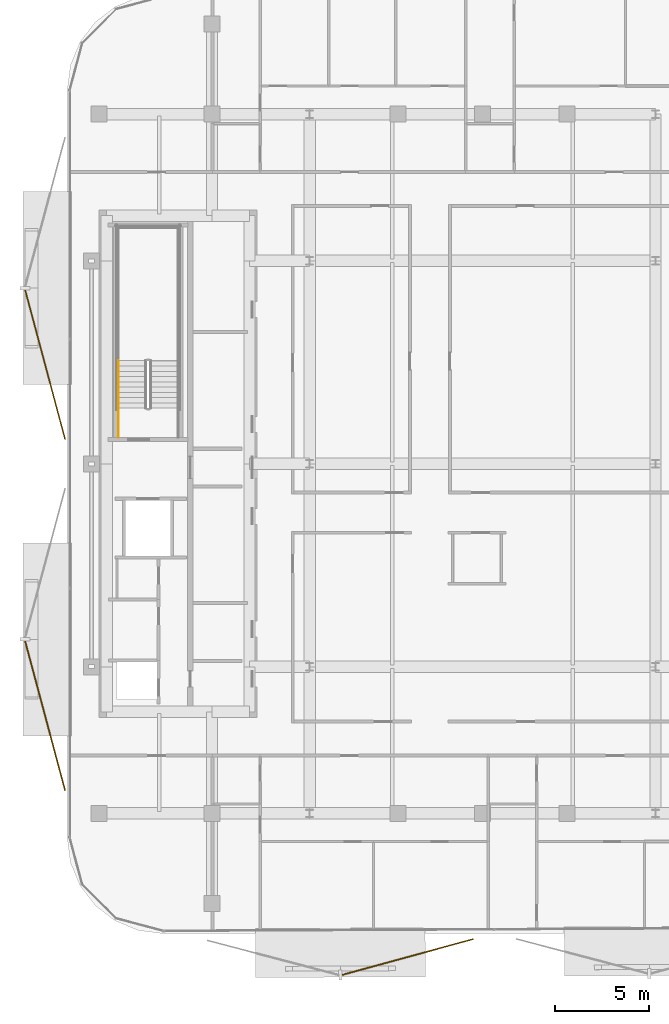
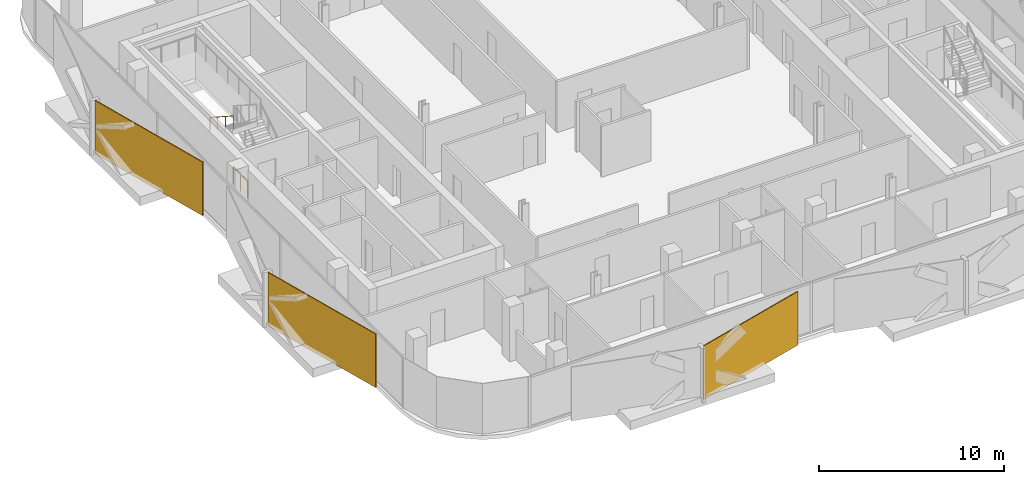
# One storey, part 13 of 16: 3 coverings, 2 railings.
"""IFC4 building model written with IfcOpenShell, lengths in metres."""

from ifc_helpers import new_model, si_unit, direction, frame, origin, origin_2d, place, context, subcontext, project, spatial, rectangle, circle, extrude, material, layer, layer_set, type_object, element, save


model = new_model("IFC4")

# Units and contexts
model_context = context("Model", 3, precision=1e-05, world=origin(), true_north=direction((0.0, 1.0)))
body_context = subcontext(model_context, "Body", "Model", "MODEL_VIEW")
ifc_project = project(units=[si_unit("LENGTHUNIT", "METRE"), si_unit("AREAUNIT", "SQUARE_METRE"), si_unit("VOLUMEUNIT", "CUBIC_METRE"), si_unit("PLANEANGLEUNIT", "RADIAN"), si_unit("MASSUNIT", "GRAM", prefix="KILO")], contexts=[model_context])

# Site, building, storey
site_placement = place(None, origin())
site = spatial("IfcSite", under=ifc_project, at=site_placement, CompositionType="ELEMENT")
building_placement = place(site_placement, origin())
building = spatial("IfcBuilding", under=site, at=building_placement, Name="Khairoan Windgate Tower", CompositionType="ELEMENT")
storey_placement = place(building_placement, frame((0.0, 0.0, 258.39990234375)))
storey = spatial("IfcBuildingStorey", under=building, at=storey_placement, Name="L61", CompositionType="ELEMENT", Elevation=258.39990234375)

# Coverings
ifc_material_1 = material(Name="Anodised Bronze Aluminium 6063-T6", Category="aluminium")
ifc_layer = layer(ifc_material_1, 0.054931640625, Name="Anodised Bronze Aluminium 6063-T6")
ifc_layer_set = layer_set([ifc_layer], Name="Anodised Bronze Aluminium 6063-T6")
covering_type = type_object("IfcCoveringType", Name="Perforated Bronze-Ceramic Folded Solar Screen Cladding BSC-1", PredefinedType="CLADDING", material=ifc_layer_set)
covering_placement = place(storey_placement, frame((-3.982421875, -26.241455078125, -0.099853515625), z_axis=(0.0, 0.0, 1.0), x_axis=(-0.964649468762, -0.263536339841, 0.0)))
element("IfcCovering", 1, at=covering_placement, inside=storey, type_object=covering_type, Name="L61 Folded Bronze Solar Screen Facet 418L", PredefinedType="CLADDING", context=body_context, shape_type="SweptSolid", body=[
    extrude(rectangle(XDim=7.23193359375, YDim=0.054931640625, at=origin_2d()), origin(), (0.0, 0.0, 1.0), 3.5400390625),
])
for number, where, z_axis, x_axis, name in (
    (2, (-23.275634765625, -13.4072265625, -0.099853515625), (0.0, 0.0, 1.0), (-0.258819045103, 0.965925826289, 0.0), "L61 Folded Bronze Solar Screen Facet 419L"),
    (3, (-23.275634765625, 5.283447265625, -0.099853515625), (0.0, 0.0, 1.0), (-0.258819045103, 0.965925826289, 0.0), "L61 Folded Bronze Solar Screen Facet 420L"),
):
    element("IfcCovering", number, at=place(storey_placement, frame(where, z_axis=z_axis, x_axis=x_axis)), inside=storey, type_object=covering_type, Name=name, PredefinedType="CLADDING", context=body_context, shape_type="SweptSolid", body=[
        extrude(rectangle(XDim=8.22412109375, YDim=0.054931640625, at=origin_2d()), origin(), (0.0, 0.0, 1.0), 3.5400390625),
    ])

# Railings
ifc_material_2 = material(Name="Anodised Bronze Aluminium 6063-T6", Category="aluminium")
railing_type_1 = type_object("IfcRailingType", Name="Stair Wall Handrail SHR-900", PredefinedType="HANDRAIL", material=ifc_material_2)
railing_1_placement = place(storey_placement, frame((-19.3701171875, 5.47998046875, 1.97998046875)))
element("IfcRailing", 4, at=railing_1_placement, inside=storey, type_object=railing_type_1, Name="L61 ST2 stair handrail 2", PredefinedType="HANDRAIL", context=body_context, shape_type="SweptSolid", body=[
    extrude(circle(Radius=0.02392578125, at=origin_2d()), frame((0.0, 0.0, 0.8759765625), z_axis=(0.0, -0.841162588446, 0.540782303519), x_axis=(1.0, 0.0, 0.0)), (0.0, 0.0, 1.0), 2.995849609375),
    extrude(circle(Radius=0.02099609375, at=origin_2d()), origin(), (0.0, 0.0, 1.0), 0.851806640625),
    extrude(circle(Radius=0.02099609375, at=origin_2d()), frame((0.0, -0.840087890625, 0.5400390625)), (0.0, 0.0, 1.0), 0.851806640625),
    extrude(circle(Radius=0.02099609375, at=origin_2d()), frame((0.0, -1.679931640625, 1.080078125)), (0.0, 0.0, 1.0), 0.851806640625),
    extrude(circle(Radius=0.02099609375, at=origin_2d()), frame((0.0, -2.52001953125, 1.6201171875)), (0.0, 0.0, 1.0), 0.851806640625),
])
ifc_material_3 = material(Name="Steel S355", Category="steel")
railing_type_2 = type_object("IfcRailingType", Name="Stairwell Safety Guardrail SGR-1150", PredefinedType="GUARDRAIL", material=ifc_material_3)
railing_2_placement = place(storey_placement, frame((-19.3701171875, 1.39990234375, 0.0)))
element("IfcRailing", 5, at=railing_2_placement, inside=storey, type_object=railing_type_2, Name="L61 ST2 stair guard 9", PredefinedType="GUARDRAIL", context=body_context, shape_type="SweptSolid", body=[
    extrude(circle(Radius=0.02392578125, at=origin_2d()), frame((0.0, 0.0, 1.1259765625), z_axis=(0.0, 1.0, 0.0), x_axis=(-1.0, 0.0, 0.0)), (0.0, 0.0, 1.0), 1.56005859375),
    extrude(circle(Radius=0.02099609375, at=origin_2d()), origin(), (0.0, 0.0, 1.0), 1.101806640625),
    extrude(circle(Radius=0.02099609375, at=origin_2d()), frame((0.0, 0.780029296875, 0.0)), (0.0, 0.0, 1.0), 1.101806640625),
    extrude(circle(Radius=0.02099609375, at=origin_2d()), frame((0.0, 1.56005859375, 0.0)), (0.0, 0.0, 1.0), 1.101806640625),
])

save(model, "model.ifc")
